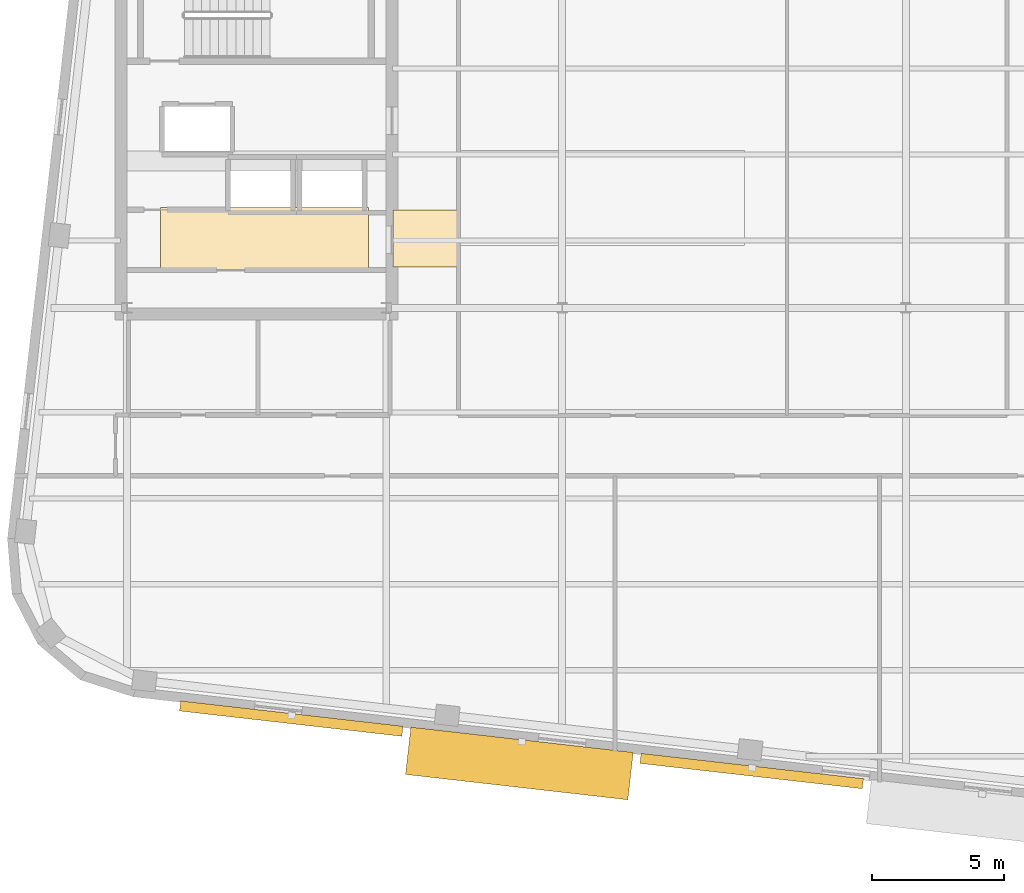
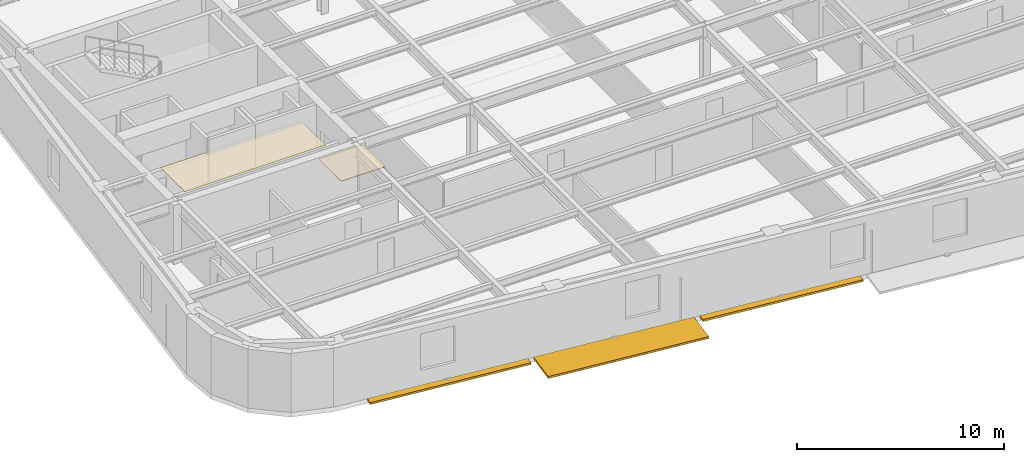
# One storey, part 10 of 13: 3 shading devices, 2 coverings.
"""IFC4 building model written with IfcOpenShell, lengths in metres."""

import ifcopenshell
import ifcopenshell.guid

model = None  # the IFC model being written
_history = None  # IfcOwnerHistory: only IFC2X3 demands one
_inside = {}  # id of a spatial element -> (the spatial element, [elements in it])
_under = {}  # id of a project, library or spatial element -> (it, [spatial elements below it])
_declared = {}  # id of a project -> (the project, [libraries it declares])
_typed = {}  # id of a type object -> (the type object, [elements of that type])
_made_of = {}  # id of a material, layer set ... -> (it, [elements and type objects made of it])


def new_model(schema):
    """Start an empty IFC model of exactly this schema.

    Asked for "IFC4X3", IfcOpenShell would pick the latest addendum, in which some entities
    have other attributes; the version numbers below select the first issue.
    IFC2X3 requires an IfcOwnerHistory on every rooted entity: one is made here for all.
    """
    global model, _history
    if schema == "IFC4X3":
        model = ifcopenshell.file(schema_version=(4, 3, 0, 0))
    else:
        model = ifcopenshell.file(schema=schema)
    _inside.clear()
    _under.clear()
    _declared.clear()
    _typed.clear()
    _made_of.clear()
    _history = None
    if model.schema == "IFC2X3":
        org = make("IfcOrganization", Name="unknown")
        user = make(
            "IfcPersonAndOrganization",
            ThePerson=make("IfcPerson", FamilyName="unknown"),
            TheOrganization=org,
        )
        app = make(
            "IfcApplication",
            ApplicationDeveloper=org,
            Version="unknown",
            ApplicationFullName="unknown",
            ApplicationIdentifier="unknown",
        )
        _history = make(
            "IfcOwnerHistory",
            OwningUser=user,
            OwningApplication=app,
            ChangeAction="ADDED",
            CreationDate=0,
        )
    return model


def make(cls, **values):
    """One entity of the class cls with the attributes given. An attribute that is None is left unset."""
    return model.create_entity(
        cls, **{name: value for name, value in values.items() if value is not None}
    )


def rooted(cls, **values):
    """An entity with a GlobalId (a new one), such as an element, a storey or a relation."""
    return make(cls, GlobalId=ifcopenshell.guid.new(), OwnerHistory=_history, **values)


def si_unit(unit_type, name, prefix=None):
    """IfcSIUnit, for example si_unit("LENGTHUNIT", "METRE", prefix="MILLI")."""
    return make("IfcSIUnit", UnitType=unit_type, Prefix=prefix, Name=name)


def assignment(units):
    """IfcUnitAssignment: the units of a project."""
    return None if units is None else make("IfcUnitAssignment", Units=units)


def point(xyz):
    """IfcCartesianPoint."""
    return None if xyz is None else make("IfcCartesianPoint", Coordinates=xyz)


def direction(xyz):
    """IfcDirection."""
    return None if xyz is None else make("IfcDirection", DirectionRatios=xyz)


def frame(location, z_axis=None, x_axis=None):
    """IfcAxis2Placement3D, a coordinate frame: its origin and axes. An axis left out is left unset."""
    return make(
        "IfcAxis2Placement3D",
        Location=point(location),
        Axis=direction(z_axis),
        RefDirection=direction(x_axis),
    )


def frame_2d(location, x_axis=None):
    """IfcAxis2Placement2D, a coordinate frame in the plane: its origin and x axis."""
    return make(
        "IfcAxis2Placement2D", Location=point(location), RefDirection=direction(x_axis)
    )


def origin():
    """The frame at (0, 0, 0) with its axes left unset."""
    return frame((0.0, 0.0, 0.0))


def origin_2d():
    """The frame at (0, 0) in the plane with its x axis left unset."""
    return frame_2d((0.0, 0.0))


def place(relative_to, where):
    """IfcLocalPlacement: puts the frame where relative to a parent placement (None: the world)."""
    return make(
        "IfcLocalPlacement", PlacementRelTo=relative_to, RelativePlacement=where
    )


def context(
    kind, dimensions, precision=None, world=None, true_north=None, identifier=None
):
    """IfcGeometricRepresentationContext, for example the 3D "Model" context."""
    return make(
        "IfcGeometricRepresentationContext",
        ContextIdentifier=identifier,
        ContextType=kind,
        CoordinateSpaceDimension=dimensions,
        Precision=precision,
        WorldCoordinateSystem=world,
        TrueNorth=true_north,
    )


def subcontext(parent, identifier, kind, view, scale=None):
    """IfcGeometricRepresentationSubContext, for example "Body" below "Model"."""
    return make(
        "IfcGeometricRepresentationSubContext",
        ContextIdentifier=identifier,
        ContextType=kind,
        ParentContext=parent,
        TargetScale=scale,
        TargetView=view,
    )


def project(units=None, contexts=None):
    """IfcProject with its units and contexts."""
    return rooted(
        "IfcProject",
        Name="project",
        RepresentationContexts=contexts,
        UnitsInContext=assignment(units),
    )


def spatial(cls, under=None, at=None, **own):
    """A site, building, storey or space (cls), placed at a placement, below another one or the project."""
    s = rooted(cls, ObjectPlacement=at, **own)
    if under is not None:
        _under.setdefault(under.id(), (under, []))[1].append(s)
    return s


def polyline(points):
    """IfcPolyline through the points."""
    return make("IfcPolyline", Points=[point(p) for p in points])


def profile(cls, at=None, kind="AREA", **sizes):
    """A parametric profile (cls). Its sizes go by their IFC names, for example OverallWidth=200.0."""
    return make(cls, ProfileType=kind, Position=at, **sizes)


def rectangle(**sizes):
    """IfcRectangleProfileDef."""
    return profile("IfcRectangleProfileDef", **sizes)


def outline(outer, holes=None, kind="AREA"):
    """IfcArbitraryClosedProfileDef: a profile drawn as a closed curve; with holes, ...WithVoids."""
    if holes is None:
        return make("IfcArbitraryClosedProfileDef", ProfileType=kind, OuterCurve=outer)
    return make(
        "IfcArbitraryProfileDefWithVoids",
        ProfileType=kind,
        OuterCurve=outer,
        InnerCurves=holes,
    )


def extrude(swept, where, along, depth):
    """IfcExtrudedAreaSolid: the profile swept, set in the frame where, extruded along a direction by depth."""
    return make(
        "IfcExtrudedAreaSolid",
        SweptArea=swept,
        Position=where,
        ExtrudedDirection=direction(along),
        Depth=depth,
    )


def shape(context_of_items, identifier, shape_type, items):
    """IfcShapeRepresentation: the items that make up one representation, for example the "Body"."""
    return make(
        "IfcShapeRepresentation",
        ContextOfItems=context_of_items,
        RepresentationIdentifier=identifier,
        RepresentationType=shape_type,
        Items=items,
    )


def material(Name=None, Category=None):
    """IfcMaterial."""
    return make("IfcMaterial", Name=Name, Category=Category)


def layer(
    of_material, thickness, ventilated=None, Name=None, Category=None, Priority=None
):
    """IfcMaterialLayer: one layer of a wall or slab, of a material (None: an air gap)."""
    return make(
        "IfcMaterialLayer",
        Material=of_material,
        LayerThickness=thickness,
        IsVentilated=ventilated,
        Name=Name,
        Category=Category,
        Priority=Priority,
    )


def layer_set(layers, Name=None):
    """IfcMaterialLayerSet."""
    return make("IfcMaterialLayerSet", MaterialLayers=layers, LayerSetName=Name)


def made_of(thing, what):
    """Note that an element or type object is made of a material, layer set ...; save() writes the relation."""
    if what is not None:
        _made_of.setdefault(what.id(), (what, []))[1].append(thing)
    return thing


def type_object(cls, material=None, **own):
    """A type object (cls), such as IfcWallType, which elements share."""
    return made_of(rooted(cls, **own), material)


def element(
    cls,
    number,
    at=None,
    inside=None,
    cuts=None,
    type_object=None,
    material=None,
    context=None,
    identifier="Body",
    shape_type=None,
    held_by="IfcProductDefinitionShape",
    body=None,
    shapes=None,
    **own,
):
    """One element of the class cls, such as IfcWall. Its Tag is "e" and its number.

    at: its placement. inside: the storey or other place that contains it. cuts: it is an
    opening in that element (IfcRelVoidsElement). A single representation is given by context,
    identifier, shape_type and body (its items); several are given by shapes. held_by: the class
    of the entity that holds the representations. save() writes the other relations.
    """
    e = rooted(cls, Tag="e%d" % number, ObjectPlacement=at, **own)
    if body is not None:
        shapes = [shape(context, identifier, shape_type, body)]
    if shapes is not None:
        e.Representation = make(held_by, Representations=shapes)
    if inside is not None:
        _inside.setdefault(inside.id(), (inside, []))[1].append(e)
    if cuts is not None:
        rooted(
            "IfcRelVoidsElement", RelatingBuildingElement=cuts, RelatedOpeningElement=e
        )
    if type_object is not None:
        _typed.setdefault(type_object.id(), (type_object, []))[1].append(e)
    return made_of(e, material)


def aggregate(whole, parts):
    """IfcRelAggregates: a whole, such as a stair, and the parts it consists of."""
    return rooted("IfcRelAggregates", RelatingObject=whole, RelatedObjects=parts)


def save(model, path):
    """Write the relations noted so far, then the file.

    IfcRelAggregates (storeys below a building ...), IfcRelContainedInSpatialStructure (elements
    in a storey), IfcRelDefinesByType, IfcRelAssociatesMaterial and IfcRelDeclares: one each for
    every whole, place, type object, material and project.
    """
    for whole, parts in _under.values():
        aggregate(whole, parts)
    for where, things in _inside.values():
        rooted(
            "IfcRelContainedInSpatialStructure",
            RelatedElements=things,
            RelatingStructure=where,
        )
    for kind, things in _typed.values():
        rooted("IfcRelDefinesByType", RelatedObjects=things, RelatingType=kind)
    for what, things in _made_of.values():
        rooted("IfcRelAssociatesMaterial", RelatedObjects=things, RelatingMaterial=what)
    for by, libraries in _declared.values():
        rooted("IfcRelDeclares", RelatingContext=by, RelatedDefinitions=libraries)
    model.write(path)


model = new_model("IFC4")

# Units and contexts
model_context = context("Model", 3, precision=1e-05, world=origin(), true_north=direction((0.0, 1.0)))
body_context = subcontext(model_context, "Body", "Model", "MODEL_VIEW")
ifc_project = project(units=[si_unit("LENGTHUNIT", "METRE"), si_unit("AREAUNIT", "SQUARE_METRE"), si_unit("VOLUMEUNIT", "CUBIC_METRE"), si_unit("PLANEANGLEUNIT", "RADIAN"), si_unit("MASSUNIT", "GRAM", prefix="KILO")], contexts=[model_context])

# Site, building, storey
site_placement = place(None, origin())
site = spatial("IfcSite", under=ifc_project, at=site_placement, CompositionType="ELEMENT")
building_placement = place(site_placement, origin())
building = spatial("IfcBuilding", under=site, at=building_placement, Name="Kolvaren Arena Tower", CompositionType="ELEMENT")
storey_placement = place(building_placement, frame((0.0, 0.0, 239.699951171875)))
storey = spatial("IfcBuildingStorey", under=building, at=storey_placement, Name="L58", CompositionType="ELEMENT", Elevation=239.699951171875)

# Coverings
ifc_material_1 = material(Name="Moisture-resistant gypsum ceiling", Category="gypsum")
ifc_layer_1 = layer(ifc_material_1, 0.030029296875)
ifc_layer_set_1 = layer_set([ifc_layer_1], Name="Moisture-resistant gypsum ceiling")
covering_type_1 = type_object("IfcCoveringType", Name="CEIL-GYP-1", PredefinedType="CEILING", material=ifc_layer_set_1)
covering_1_placement = place(storey_placement, frame((0.0, 0.0, 2.52001953125)))
element("IfcCovering", 1, at=covering_1_placement, inside=storey, type_object=covering_type_1, Name="Suspended Ceiling (L58)", PredefinedType="CEILING", context=body_context, shape_type="SweptSolid", body=[
    extrude(outline(polyline([(15.820068359375, 20.89990234375), (15.820068359375, 23.239990234375), (23.679931640625, 23.239990234375), (23.679931640625, 20.89990234375), (15.820068359375, 20.89990234375)])), origin(), (0.0, 0.0, 1.0), 0.030029296875),
])
ifc_material_2 = material(Name="Raised access office floor finish", Category="aluminium")
ifc_layer_2 = layer(ifc_material_2, 0.044921875)
ifc_layer_set_2 = layer_set([ifc_layer_2], Name="Raised access office floor finish")
covering_type_2 = type_object("IfcCoveringType", Name="FLOR-RAF-1", PredefinedType="FLOORING", material=ifc_layer_set_2)
covering_2_placement = place(storey_placement, origin())
element("IfcCovering", 2, at=covering_2_placement, inside=storey, type_object=covering_type_2, Name="Floor Finish (L58)", PredefinedType="FLOORING", context=body_context, shape_type="SweptSolid", body=[
    extrude(outline(polyline([(24.60009765625, 21.0), (24.60009765625, 23.14990234375), (27.080078125, 23.14990234375), (27.080078125, 21.0), (24.60009765625, 21.0)])), origin(), (0.0, 0.0, 1.0), 0.045166015625),
])

# Shading devices
ifc_material_3 = material(Name="Architectural precast GFRC and anodised aluminium sunshade", Category="concrete")
shading_device_type_1 = type_object("IfcShadingDeviceType", Name="SHAD-SINE-A", PredefinedType="USERDEFINED", material=ifc_material_3)
shading_device_1_placement = place(storey_placement, frame((38.169189453125, 1.93896484375, -0.139892578125), z_axis=(0.0, 0.0, 1.0), x_axis=(-0.993571658098, 0.113204947878, 0.0)))
element("IfcShadingDevice", 3, at=shading_device_1_placement, inside=storey, type_object=shading_device_type_1, Name="Sinusoidal Slab-Edge Sunshade Louvre (L58)", ObjectType="LOUVRE", PredefinedType="USERDEFINED", context=body_context, shape_type="SweptSolid", body=[
    extrude(rectangle(XDim=8.4599609375, YDim=0.381103515625, at=origin_2d()), origin(), (0.0, 0.0, 1.0), 0.1201171875),
])
shading_device_2_placement = place(storey_placement, frame((20.76171875, 3.92138671875, -0.139892578125), z_axis=(0.0, 0.0, 1.0), x_axis=(-0.993571658098, 0.113204947878, 0.0)))
element("IfcShadingDevice", 4, at=shading_device_2_placement, inside=storey, type_object=shading_device_type_1, Name="Sinusoidal Slab-Edge Sunshade Louvre (L58)", ObjectType="LOUVRE", PredefinedType="USERDEFINED", context=body_context, shape_type="SweptSolid", body=[
    extrude(rectangle(XDim=8.4599609375, YDim=0.3828125, at=origin_2d()), origin(), (0.0, 0.0, 1.0), 0.1201171875),
])
shading_device_type_2 = type_object("IfcShadingDeviceType", Name="SHAD-SINE-B", PredefinedType="JALOUSIE", material=ifc_material_3)
shading_device_3_placement = place(storey_placement, frame((29.385009765625, 2.225830078125, -0.139892578125), z_axis=(0.0, 0.0, 1.0), x_axis=(-0.993571658098, 0.113204947878, 0.0)))
element("IfcShadingDevice", 5, at=shading_device_3_placement, inside=storey, type_object=shading_device_type_2, Name="Sinusoidal Slab-Edge Sunshade Louvre (L58)", PredefinedType="JALOUSIE", context=body_context, shape_type="SweptSolid", body=[
    extrude(rectangle(XDim=8.4599609375, YDim=1.800048828125, at=origin_2d()), origin(), (0.0, 0.0, 1.0), 0.1201171875),
])

save(model, "model.ifc")
